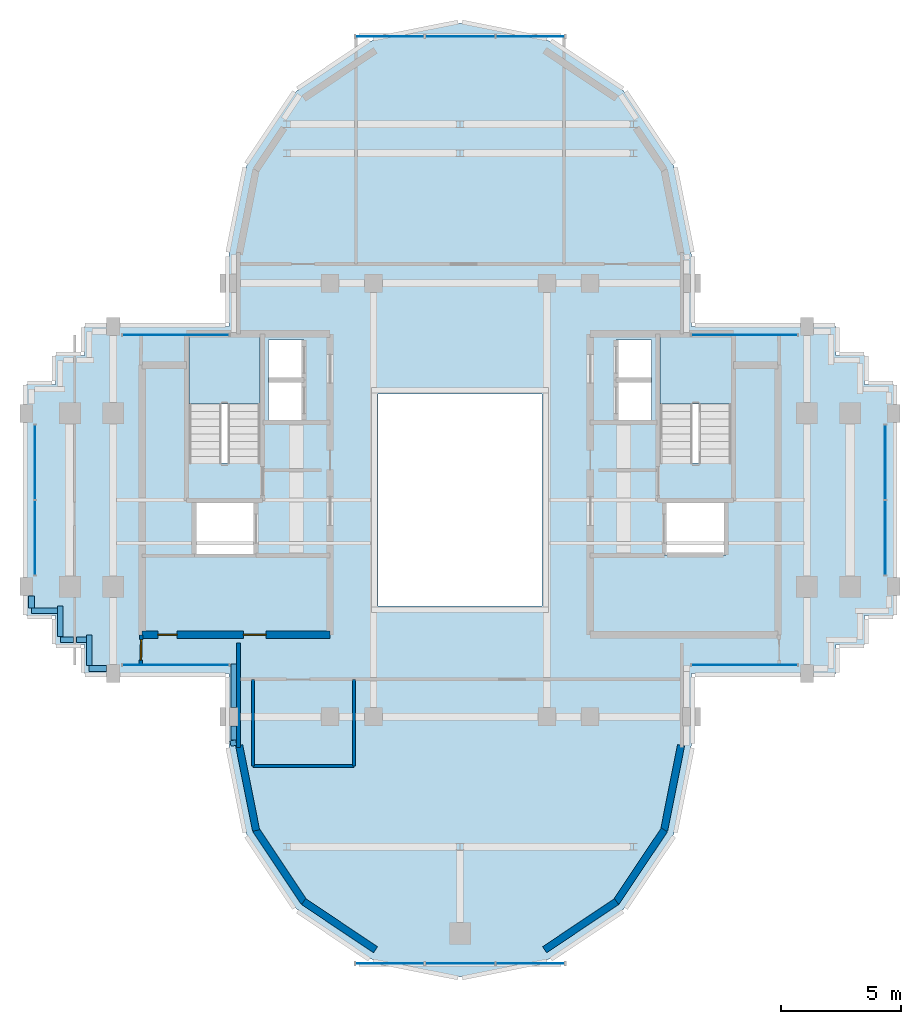
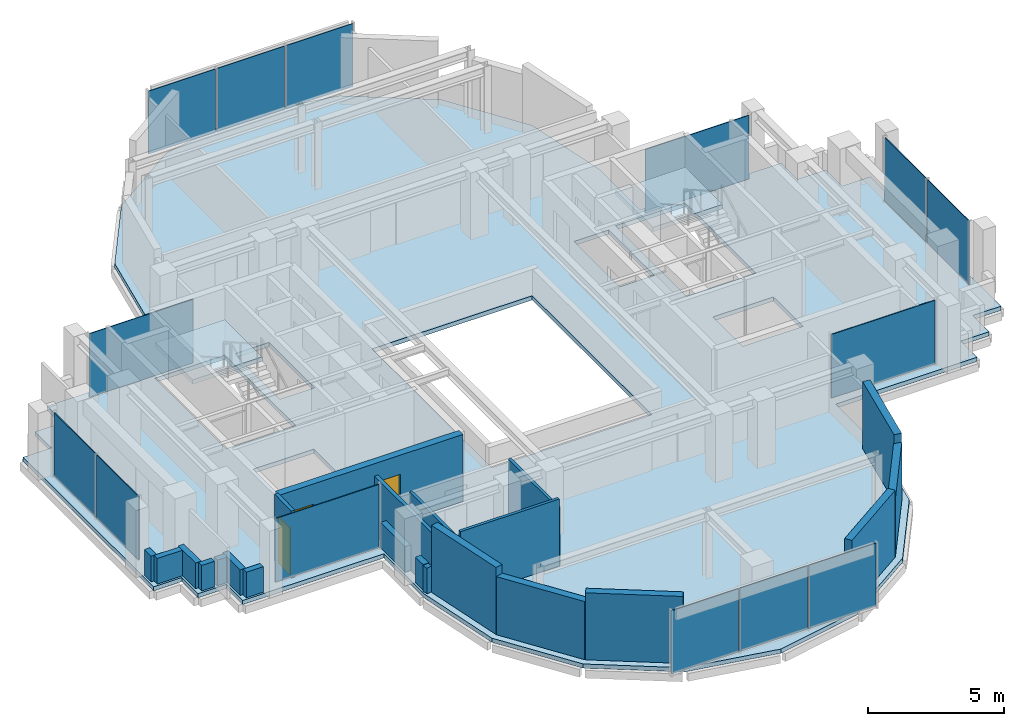
# One storey, part 7 of 12: 22 walls, 14 plates, 3 doors, 3 slabs, 3 openings, 10 elements without a shape of their own.
"""IFC4 building model written with IfcOpenShell, lengths in metres."""

import ifcopenshell
import ifcopenshell.guid

model = None  # the IFC model being written
_history = None  # IfcOwnerHistory: only IFC2X3 demands one
_inside = {}  # id of a spatial element -> (the spatial element, [elements in it])
_under = {}  # id of a project, library or spatial element -> (it, [spatial elements below it])
_declared = {}  # id of a project -> (the project, [libraries it declares])
_typed = {}  # id of a type object -> (the type object, [elements of that type])
_made_of = {}  # id of a material, layer set ... -> (it, [elements and type objects made of it])


def new_model(schema):
    """Start an empty IFC model of exactly this schema.

    Asked for "IFC4X3", IfcOpenShell would pick the latest addendum, in which some entities
    have other attributes; the version numbers below select the first issue.
    IFC2X3 requires an IfcOwnerHistory on every rooted entity: one is made here for all.
    """
    global model, _history
    if schema == "IFC4X3":
        model = ifcopenshell.file(schema_version=(4, 3, 0, 0))
    else:
        model = ifcopenshell.file(schema=schema)
    _inside.clear()
    _under.clear()
    _declared.clear()
    _typed.clear()
    _made_of.clear()
    _history = None
    if model.schema == "IFC2X3":
        org = make("IfcOrganization", Name="unknown")
        user = make(
            "IfcPersonAndOrganization",
            ThePerson=make("IfcPerson", FamilyName="unknown"),
            TheOrganization=org,
        )
        app = make(
            "IfcApplication",
            ApplicationDeveloper=org,
            Version="unknown",
            ApplicationFullName="unknown",
            ApplicationIdentifier="unknown",
        )
        _history = make(
            "IfcOwnerHistory",
            OwningUser=user,
            OwningApplication=app,
            ChangeAction="ADDED",
            CreationDate=0,
        )
    return model


def make(cls, **values):
    """One entity of the class cls with the attributes given. An attribute that is None is left unset."""
    return model.create_entity(
        cls, **{name: value for name, value in values.items() if value is not None}
    )


def rooted(cls, **values):
    """An entity with a GlobalId (a new one), such as an element, a storey or a relation."""
    return make(cls, GlobalId=ifcopenshell.guid.new(), OwnerHistory=_history, **values)


def si_unit(unit_type, name, prefix=None):
    """IfcSIUnit, for example si_unit("LENGTHUNIT", "METRE", prefix="MILLI")."""
    return make("IfcSIUnit", UnitType=unit_type, Prefix=prefix, Name=name)


def assignment(units):
    """IfcUnitAssignment: the units of a project."""
    return None if units is None else make("IfcUnitAssignment", Units=units)


def point(xyz):
    """IfcCartesianPoint."""
    return None if xyz is None else make("IfcCartesianPoint", Coordinates=xyz)


def direction(xyz):
    """IfcDirection."""
    return None if xyz is None else make("IfcDirection", DirectionRatios=xyz)


def frame(location, z_axis=None, x_axis=None):
    """IfcAxis2Placement3D, a coordinate frame: its origin and axes. An axis left out is left unset."""
    return make(
        "IfcAxis2Placement3D",
        Location=point(location),
        Axis=direction(z_axis),
        RefDirection=direction(x_axis),
    )


def frame_2d(location, x_axis=None):
    """IfcAxis2Placement2D, a coordinate frame in the plane: its origin and x axis."""
    return make(
        "IfcAxis2Placement2D", Location=point(location), RefDirection=direction(x_axis)
    )


def origin():
    """The frame at (0, 0, 0) with its axes left unset."""
    return frame((0.0, 0.0, 0.0))


def origin_2d():
    """The frame at (0, 0) in the plane with its x axis left unset."""
    return frame_2d((0.0, 0.0))


def place(relative_to, where):
    """IfcLocalPlacement: puts the frame where relative to a parent placement (None: the world)."""
    return make(
        "IfcLocalPlacement", PlacementRelTo=relative_to, RelativePlacement=where
    )


def context(
    kind, dimensions, precision=None, world=None, true_north=None, identifier=None
):
    """IfcGeometricRepresentationContext, for example the 3D "Model" context."""
    return make(
        "IfcGeometricRepresentationContext",
        ContextIdentifier=identifier,
        ContextType=kind,
        CoordinateSpaceDimension=dimensions,
        Precision=precision,
        WorldCoordinateSystem=world,
        TrueNorth=true_north,
    )


def subcontext(parent, identifier, kind, view, scale=None):
    """IfcGeometricRepresentationSubContext, for example "Body" below "Model"."""
    return make(
        "IfcGeometricRepresentationSubContext",
        ContextIdentifier=identifier,
        ContextType=kind,
        ParentContext=parent,
        TargetScale=scale,
        TargetView=view,
    )


def project(units=None, contexts=None):
    """IfcProject with its units and contexts."""
    return rooted(
        "IfcProject",
        Name="project",
        RepresentationContexts=contexts,
        UnitsInContext=assignment(units),
    )


def spatial(cls, under=None, at=None, **own):
    """A site, building, storey or space (cls), placed at a placement, below another one or the project."""
    s = rooted(cls, ObjectPlacement=at, **own)
    if under is not None:
        _under.setdefault(under.id(), (under, []))[1].append(s)
    return s


def polyline(points):
    """IfcPolyline through the points."""
    return make("IfcPolyline", Points=[point(p) for p in points])


def profile(cls, at=None, kind="AREA", **sizes):
    """A parametric profile (cls). Its sizes go by their IFC names, for example OverallWidth=200.0."""
    return make(cls, ProfileType=kind, Position=at, **sizes)


def rectangle(**sizes):
    """IfcRectangleProfileDef."""
    return profile("IfcRectangleProfileDef", **sizes)


def outline(outer, holes=None, kind="AREA"):
    """IfcArbitraryClosedProfileDef: a profile drawn as a closed curve; with holes, ...WithVoids."""
    if holes is None:
        return make("IfcArbitraryClosedProfileDef", ProfileType=kind, OuterCurve=outer)
    return make(
        "IfcArbitraryProfileDefWithVoids",
        ProfileType=kind,
        OuterCurve=outer,
        InnerCurves=holes,
    )


def extrude(swept, where, along, depth):
    """IfcExtrudedAreaSolid: the profile swept, set in the frame where, extruded along a direction by depth."""
    return make(
        "IfcExtrudedAreaSolid",
        SweptArea=swept,
        Position=where,
        ExtrudedDirection=direction(along),
        Depth=depth,
    )


def shape(context_of_items, identifier, shape_type, items):
    """IfcShapeRepresentation: the items that make up one representation, for example the "Body"."""
    return make(
        "IfcShapeRepresentation",
        ContextOfItems=context_of_items,
        RepresentationIdentifier=identifier,
        RepresentationType=shape_type,
        Items=items,
    )


def source(mapping_origin, context_of_items, identifier, shape_type, items):
    """IfcRepresentationMap: a shape defined once, which mapped items show again and again."""
    return make(
        "IfcRepresentationMap",
        MappingOrigin=mapping_origin,
        MappedRepresentation=shape(context_of_items, identifier, shape_type, items),
    )


def transform(
    local_origin,
    x_axis=None,
    y_axis=None,
    z_axis=None,
    scale=None,
    scale2=None,
    scale3=None,
    uniform=True,
):
    """IfcCartesianTransformationOperator3D, or its non-uniform kind. x_axis, y_axis, z_axis: its Axis1, 2, 3."""
    if uniform:
        return make(
            "IfcCartesianTransformationOperator3D",
            Axis1=direction(x_axis),
            Axis2=direction(y_axis),
            LocalOrigin=point(local_origin),
            Scale=scale,
            Axis3=direction(z_axis),
        )
    return make(
        "IfcCartesianTransformationOperator3DnonUniform",
        Axis1=direction(x_axis),
        Axis2=direction(y_axis),
        LocalOrigin=point(local_origin),
        Scale=scale,
        Axis3=direction(z_axis),
        Scale2=scale2,
        Scale3=scale3,
    )


def mapped(mapping_source, mapping_target):
    """IfcMappedItem: shows the shape of a source again, moved by a transform."""
    return make(
        "IfcMappedItem", MappingSource=mapping_source, MappingTarget=mapping_target
    )


def material(Name=None, Category=None):
    """IfcMaterial."""
    return make("IfcMaterial", Name=Name, Category=Category)


def layer(
    of_material, thickness, ventilated=None, Name=None, Category=None, Priority=None
):
    """IfcMaterialLayer: one layer of a wall or slab, of a material (None: an air gap)."""
    return make(
        "IfcMaterialLayer",
        Material=of_material,
        LayerThickness=thickness,
        IsVentilated=ventilated,
        Name=Name,
        Category=Category,
        Priority=Priority,
    )


def layer_set(layers, Name=None):
    """IfcMaterialLayerSet."""
    return make("IfcMaterialLayerSet", MaterialLayers=layers, LayerSetName=Name)


def made_of(thing, what):
    """Note that an element or type object is made of a material, layer set ...; save() writes the relation."""
    if what is not None:
        _made_of.setdefault(what.id(), (what, []))[1].append(thing)
    return thing


def type_object(cls, material=None, **own):
    """A type object (cls), such as IfcWallType, which elements share."""
    return made_of(rooted(cls, **own), material)


def element(
    cls,
    number,
    at=None,
    inside=None,
    cuts=None,
    type_object=None,
    material=None,
    context=None,
    identifier="Body",
    shape_type=None,
    held_by="IfcProductDefinitionShape",
    body=None,
    shapes=None,
    **own,
):
    """One element of the class cls, such as IfcWall. Its Tag is "e" and its number.

    at: its placement. inside: the storey or other place that contains it. cuts: it is an
    opening in that element (IfcRelVoidsElement). A single representation is given by context,
    identifier, shape_type and body (its items); several are given by shapes. held_by: the class
    of the entity that holds the representations. save() writes the other relations.
    """
    e = rooted(cls, Tag="e%d" % number, ObjectPlacement=at, **own)
    if body is not None:
        shapes = [shape(context, identifier, shape_type, body)]
    if shapes is not None:
        e.Representation = make(held_by, Representations=shapes)
    if inside is not None:
        _inside.setdefault(inside.id(), (inside, []))[1].append(e)
    if cuts is not None:
        rooted(
            "IfcRelVoidsElement", RelatingBuildingElement=cuts, RelatedOpeningElement=e
        )
    if type_object is not None:
        _typed.setdefault(type_object.id(), (type_object, []))[1].append(e)
    return made_of(e, material)


def fill(opening, filler):
    """IfcRelFillsElement: the door or window that sits in an opening."""
    return rooted(
        "IfcRelFillsElement",
        RelatingOpeningElement=opening,
        RelatedBuildingElement=filler,
    )


def aggregate(whole, parts):
    """IfcRelAggregates: a whole, such as a stair, and the parts it consists of."""
    return rooted("IfcRelAggregates", RelatingObject=whole, RelatedObjects=parts)


def save(model, path):
    """Write the relations noted so far, then the file.

    IfcRelAggregates (storeys below a building ...), IfcRelContainedInSpatialStructure (elements
    in a storey), IfcRelDefinesByType, IfcRelAssociatesMaterial and IfcRelDeclares: one each for
    every whole, place, type object, material and project.
    """
    for whole, parts in _under.values():
        aggregate(whole, parts)
    for where, things in _inside.values():
        rooted(
            "IfcRelContainedInSpatialStructure",
            RelatedElements=things,
            RelatingStructure=where,
        )
    for kind, things in _typed.values():
        rooted("IfcRelDefinesByType", RelatedObjects=things, RelatingType=kind)
    for what, things in _made_of.values():
        rooted("IfcRelAssociatesMaterial", RelatedObjects=things, RelatingMaterial=what)
    for by, libraries in _declared.values():
        rooted("IfcRelDeclares", RelatingContext=by, RelatedDefinitions=libraries)
    model.write(path)


model = new_model("IFC4")

# Units and contexts
model_context = context("Model", 3, precision=1e-05, world=origin(), true_north=direction((0.0, 1.0)))
body_context = subcontext(model_context, "Body", "Model", "MODEL_VIEW")
ifc_project = project(units=[si_unit("LENGTHUNIT", "METRE"), si_unit("AREAUNIT", "SQUARE_METRE"), si_unit("VOLUMEUNIT", "CUBIC_METRE"), si_unit("PLANEANGLEUNIT", "RADIAN"), si_unit("MASSUNIT", "GRAM", prefix="KILO")], contexts=[model_context])

# Site, building, storey
site_placement = place(None, origin())
site = spatial("IfcSite", under=ifc_project, at=site_placement, CompositionType="ELEMENT")
building_placement = place(site_placement, origin())
building = spatial("IfcBuilding", under=site, at=building_placement, Name="Keilestroom Media Tower", CompositionType="ELEMENT")
storey_placement = place(building_placement, frame((0.0, 0.0, 249.199951171875)))
storey = spatial("IfcBuildingStorey", under=building, at=storey_placement, Name="L69", CompositionType="ELEMENT", Elevation=249.199951171875)

# Slab
ifc_material_1 = material(Name="Concrete C50/60", Category="concrete")
ifc_layer_1 = layer(ifc_material_1, 0.18994140625)
ifc_layer_set_1 = layer_set([ifc_layer_1], Name="Concrete C50/60")
slab_type_1 = type_object("IfcSlabType", Name="Composite-Floor-Slab-190", PredefinedType="FLOOR", material=ifc_layer_set_1)
slab_1_placement = place(storey_placement, frame((0.0, 0.0, -0.18994140625)))
element("IfcSlab", 1, at=slab_1_placement, inside=storey, type_object=slab_type_1, Name="L69 Structural Composite Floor Slab", PredefinedType="FLOOR", context=body_context, shape_type="SweptSolid", body=[
    extrude(outline(polyline([(18.0, -4.800048828125), (18.0, 4.800048828125), (16.800048828125, 4.800048828125), (16.800048828125, 6.0), (15.60009765625, 6.0), (15.60009765625, 7.199951171875), (9.60009765625, 7.199951171875), (9.60009765625, 9.60009765625), (9.60009765625, 10.199951171875), (8.869140625, 13.873779296875), (6.7880859375, 16.98828125), (3.673828125, 19.069091796875), (0.0, 19.800048828125), (-3.673828125, 19.069091796875), (-6.7880859375, 16.98828125), (-8.869140625, 13.873779296875), (-9.60009765625, 10.199951171875), (-9.60009765625, 9.60009765625), (-9.60009765625, 7.199951171875), (-15.60009765625, 7.199951171875), (-15.60009765625, 6.0), (-16.800048828125, 6.0), (-16.800048828125, 4.800048828125), (-18.0, 4.800048828125), (-18.0, -4.800048828125), (-16.800048828125, -4.800048828125), (-16.800048828125, -6.0), (-15.60009765625, -6.0), (-15.60009765625, -7.199951171875), (-9.60009765625, -7.199951171875), (-9.60009765625, -9.60009765625), (-9.60009765625, -10.199951171875), (-8.869140625, -13.873779296875), (-6.7880859375, -16.98828125), (-3.673828125, -19.069091796875), (0.0, -19.800048828125), (3.673828125, -19.069091796875), (6.7880859375, -16.98828125), (8.869140625, -13.873779296875), (9.60009765625, -10.199951171875), (9.60009765625, -9.60009765625), (9.60009765625, -7.199951171875), (15.60009765625, -7.199951171875), (15.60009765625, -6.0), (16.800048828125, -6.0), (16.800048828125, -4.800048828125), (18.0, -4.800048828125)]), holes=[polyline([(-8.300048828125, 1.544921875), (-11.260009765625, 1.544921875), (-11.260009765625, 6.760009765625), (-8.300048828125, 6.760009765625), (-8.300048828125, 1.544921875)]), polyline([(-8.47998046875, -2.280029296875), (-11.050048828125, -2.280029296875), (-11.050048828125, -0.10009765625), (-8.47998046875, -0.10009765625), (-8.47998046875, -2.280029296875)]), polyline([(-6.47998046875, 3.300048828125), (-7.949951171875, 3.300048828125), (-7.949951171875, 6.64990234375), (-6.47998046875, 6.64990234375), (-6.47998046875, 3.300048828125)]), polyline([(3.39990234375, -4.39990234375), (-3.39990234375, -4.39990234375), (-3.39990234375, 4.39990234375), (3.39990234375, 4.39990234375), (3.39990234375, -4.39990234375)]), polyline([(7.949951171875, 3.300048828125), (6.47998046875, 3.300048828125), (6.47998046875, 6.64990234375), (7.949951171875, 6.64990234375), (7.949951171875, 3.300048828125)]), polyline([(11.260009765625, 1.544921875), (8.300048828125, 1.544921875), (8.300048828125, 6.760009765625), (11.260009765625, 6.760009765625), (11.260009765625, 1.544921875)]), polyline([(11.050048828125, -2.280029296875), (8.47998046875, -2.280029296875), (8.47998046875, -0.10009765625), (11.050048828125, -0.10009765625), (11.050048828125, -2.280029296875)])]), origin(), (0.0, 0.0, 1.0), 0.18994140625),
])

# Stair, slab
ifc_material_2 = material(Name="Concrete C45/55", Category="concrete")
stair_type = type_object("IfcStairType", Name="Enclosed-Dog-Leg-Stair-ST-CORE", PredefinedType="HALF_TURN_STAIR", material=ifc_material_2)
stair_1_placement = place(storey_placement, origin())
stair_1 = element("IfcStair", 2, at=stair_1_placement, inside=storey, type_object=stair_type, Name="L69 West Core Escape Stair ST-1", PredefinedType="HALF_TURN_STAIR")
ifc_layer_2 = layer(ifc_material_2, 0.199951171875)
ifc_layer_set_2 = layer_set([ifc_layer_2], Name="Concrete C45/55")
slab_type_2 = type_object("IfcSlabType", Name="Stair-Intermediate-And-Top-Landing-Slab-200", PredefinedType="LANDING", material=ifc_layer_set_2)
slab_2_placement = place(storey_placement, frame((0.0, 0.0, 1.400146484375)))
slab_2 = element("IfcSlab", 3, at=slab_2_placement, type_object=slab_type_2, Name="ST-1 landing 1", PredefinedType="LANDING", context=body_context, shape_type="SweptSolid", body=[
    extrude(outline(polyline([(-8.300048828125, 3.99609375), (-8.300048828125, 6.760009765625), (-11.260009765625, 6.760009765625), (-11.260009765625, 3.99609375), (-8.300048828125, 3.99609375)])), origin(), (0.0, 0.0, 1.0), 0.199951171875),
])
aggregate(stair_1, [slab_2])

stair_2_placement = place(storey_placement, origin())
stair_2 = element("IfcStair", 4, at=stair_2_placement, inside=storey, type_object=stair_type, Name="L69 East Core Escape Stair ST-2", PredefinedType="HALF_TURN_STAIR")
slab_3_placement = place(storey_placement, frame((0.0, 0.0, 1.400146484375)))
slab_3 = element("IfcSlab", 5, at=slab_3_placement, type_object=slab_type_2, Name="ST-2 landing 1", PredefinedType="LANDING", context=body_context, shape_type="SweptSolid", body=[
    extrude(outline(polyline([(11.260009765625, 3.99609375), (11.260009765625, 6.760009765625), (8.300048828125, 6.760009765625), (8.300048828125, 3.99609375), (11.260009765625, 3.99609375)])), origin(), (0.0, 0.0, 1.0), 0.199951171875),
])
aggregate(stair_2, [slab_3])

# Curtain wall, plates
ifc_material_3 = material(Name="Anodised Aluminium Alloy", Category="aluminium")
curtain_wall_type_1 = type_object("IfcCurtainWallType", Name="Unitised-Curtain-Wall-CW-6", PredefinedType="NOTDEFINED", material=ifc_material_3)
curtain_wall_1_placement = place(storey_placement, origin())
curtain_wall_1 = element("IfcCurtainWall", 6, at=curtain_wall_1_placement, inside=storey, type_object=curtain_wall_type_1, Name="L69 Curtain Wall CW-6 CW-L69-LN-1", PredefinedType="NOTDEFINED")
ifc_material_4 = material(Name="Curved-Facet Triple Glazed Unit", Category="glass")
ifc_layer_3 = layer(ifc_material_4, 0.033935546875)
ifc_layer_set_3 = layer_set([ifc_layer_3], Name="Curved-Facet Triple Glazed Unit")
plate_type_1 = type_object("IfcPlateType", Name="Insulated-Curtain-Wall-Glazing-Panel-CW-6", PredefinedType="CURTAIN_PANEL", material=ifc_layer_set_3)
shared_shape_1 = source(origin(), body_context, "Body", "SweptSolid", [
    extrude(rectangle(XDim=2.84375, YDim=0.033935546875, at=origin_2d()), origin(), (0.0, 0.0, 1.0), 2.833984375),
])
plate_1_placement = place(storey_placement, frame((-2.9169921875, 19.25, 0.072998046875), z_axis=(0.0, 0.0, 1.0), x_axis=(1.0, 0.0, 0.0)))
plate_1 = element("IfcPlate", 7, at=plate_1_placement, type_object=plate_type_1, Name="CW-6 Unitised Glazing 00", PredefinedType="CURTAIN_PANEL", context=body_context, shape_type="MappedRepresentation", body=[
    mapped(shared_shape_1, transform((0.0, 0.0, 0.0), x_axis=(1.0, 0.0, 0.0), y_axis=(0.0, 1.0, 0.0), z_axis=(0.0, 0.0, 1.0), scale=1.0)),
])
plate_2_placement = place(storey_placement, frame((2.9169921875, 19.25, 0.072998046875), z_axis=(0.0, 0.0, 1.0), x_axis=(1.0, 0.0, 0.0)))
plate_2 = element("IfcPlate", 8, at=plate_2_placement, type_object=plate_type_1, Name="CW-6 Unitised Glazing 02", PredefinedType="CURTAIN_PANEL", context=body_context, shape_type="MappedRepresentation", body=[
    mapped(shared_shape_1, transform((0.0, 0.0, 0.0), x_axis=(1.0, 0.0, 0.0), y_axis=(0.0, 1.0, 0.0), z_axis=(0.0, 0.0, 1.0), scale=1.0)),
])

curtain_wall_2_placement = place(storey_placement, origin())
curtain_wall_2 = element("IfcCurtainWall", 9, at=curtain_wall_2_placement, inside=storey, type_object=curtain_wall_type_1, Name="L69 Curtain Wall CW-6 CW-L69-LS-1", PredefinedType="NOTDEFINED")
plate_3_placement = place(storey_placement, frame((-2.9169921875, -19.25, 0.072998046875), z_axis=(0.0, 0.0, 1.0), x_axis=(1.0, 0.0, 0.0)))
plate_3 = element("IfcPlate", 10, at=plate_3_placement, type_object=plate_type_1, Name="CW-6 Unitised Glazing 00", PredefinedType="CURTAIN_PANEL", context=body_context, shape_type="MappedRepresentation", body=[
    mapped(shared_shape_1, transform((0.0, 0.0, 0.0), x_axis=(1.0, 0.0, 0.0), y_axis=(0.0, 1.0, 0.0), z_axis=(0.0, 0.0, 1.0), scale=1.0)),
])
plate_4_placement = place(storey_placement, frame((2.9169921875, -19.25, 0.072998046875), z_axis=(0.0, 0.0, 1.0), x_axis=(1.0, 0.0, 0.0)))
plate_4 = element("IfcPlate", 11, at=plate_4_placement, type_object=plate_type_1, Name="CW-6 Unitised Glazing 02", PredefinedType="CURTAIN_PANEL", context=body_context, shape_type="MappedRepresentation", body=[
    mapped(shared_shape_1, transform((0.0, 0.0, 0.0), x_axis=(1.0, 0.0, 0.0), y_axis=(0.0, 1.0, 0.0), z_axis=(0.0, 0.0, 1.0), scale=1.0)),
])

# Plate
shared_shape_2 = source(origin(), body_context, "Body", "SweptSolid", [
    extrude(rectangle(XDim=2.876220703125, YDim=0.033935546875, at=origin_2d()), origin(), (0.0, 0.0, 1.0), 2.833984375),
])
plate_5_placement = place(storey_placement, frame((0.0, 19.25, 0.072998046875), z_axis=(0.0, 0.0, 1.0), x_axis=(1.0, 0.0, 0.0)))
plate_5 = element("IfcPlate", 12, at=plate_5_placement, type_object=plate_type_1, Name="CW-6 Unitised Glazing 01", PredefinedType="CURTAIN_PANEL", context=body_context, shape_type="MappedRepresentation", body=[
    mapped(shared_shape_2, transform((0.0, 0.0, 0.0), x_axis=(1.0, 0.0, 0.0), y_axis=(0.0, 1.0, 0.0), z_axis=(0.0, 0.0, 1.0), scale=1.0)),
])

aggregate(curtain_wall_1, [plate_1, plate_5, plate_2])

plate_6_placement = place(storey_placement, frame((0.0, -19.25, 0.072998046875), z_axis=(0.0, 0.0, 1.0), x_axis=(1.0, 0.0, 0.0)))
plate_6 = element("IfcPlate", 13, at=plate_6_placement, type_object=plate_type_1, Name="CW-6 Unitised Glazing 01", PredefinedType="CURTAIN_PANEL", context=body_context, shape_type="MappedRepresentation", body=[
    mapped(shared_shape_2, transform((0.0, 0.0, 0.0), x_axis=(1.0, 0.0, 0.0), y_axis=(0.0, 1.0, 0.0), z_axis=(0.0, 0.0, 1.0), scale=1.0)),
])

aggregate(curtain_wall_2, [plate_3, plate_6, plate_4])

# Curtain wall, plates
curtain_wall_type_2 = type_object("IfcCurtainWallType", Name="Unitised-Curtain-Wall-CW-4", PredefinedType="NOTDEFINED", material=ifc_material_3)
curtain_wall_3_placement = place(storey_placement, origin())
curtain_wall_3 = element("IfcCurtainWall", 14, at=curtain_wall_3_placement, inside=storey, type_object=curtain_wall_type_2, Name="L69 Curtain Wall CW-4 CW-L69-W-1", PredefinedType="NOTDEFINED")
ifc_material_5 = material(Name="Triple Glazed Solar-Control Unit", Category="glass")
ifc_layer_4 = layer(ifc_material_5, 0.035888671875)
ifc_layer_set_4 = layer_set([ifc_layer_4], Name="Triple Glazed Solar-Control Unit")
plate_type_2 = type_object("IfcPlateType", Name="Insulated-Curtain-Wall-Glazing-Panel-CW-4", PredefinedType="CURTAIN_PANEL", material=ifc_layer_set_4)
shared_shape_3 = source(origin(), body_context, "Body", "SweptSolid", [
    extrude(rectangle(XDim=3.0830078125, YDim=0.035888671875, at=origin_2d()), origin(), (0.0, 0.0, 1.0), 2.85400390625),
])
plate_7_placement = place(storey_placement, frame((-17.64990234375, -1.5673828125, 0.06298828125), z_axis=(0.0, 0.0, 1.0), x_axis=(0.0, 1.0, 0.0)))
plate_7 = element("IfcPlate", 15, at=plate_7_placement, type_object=plate_type_2, Name="CW-4 Unitised Glazing 00", PredefinedType="CURTAIN_PANEL", context=body_context, shape_type="MappedRepresentation", body=[
    mapped(shared_shape_3, transform((0.0, 0.0, 0.0), x_axis=(1.0, 0.0, 0.0), y_axis=(0.0, 1.0, 0.0), z_axis=(0.0, 0.0, 1.0), scale=1.0)),
])
plate_8_placement = place(storey_placement, frame((-17.64990234375, 1.5673828125, 0.06298828125), z_axis=(0.0, 0.0, 1.0), x_axis=(0.0, 1.0, 0.0)))
plate_8 = element("IfcPlate", 16, at=plate_8_placement, type_object=plate_type_2, Name="CW-4 Unitised Glazing 01", PredefinedType="CURTAIN_PANEL", context=body_context, shape_type="MappedRepresentation", body=[
    mapped(shared_shape_3, transform((0.0, 0.0, 0.0), x_axis=(1.0, 0.0, 0.0), y_axis=(0.0, 1.0, 0.0), z_axis=(0.0, 0.0, 1.0), scale=1.0)),
])
aggregate(curtain_wall_3, [plate_7, plate_8])

curtain_wall_4_placement = place(storey_placement, origin())
curtain_wall_4 = element("IfcCurtainWall", 17, at=curtain_wall_4_placement, inside=storey, type_object=curtain_wall_type_2, Name="L69 Curtain Wall CW-4 CW-L69-E-1", PredefinedType="NOTDEFINED")
plate_9_placement = place(storey_placement, frame((17.64990234375, -1.5673828125, 0.06298828125), z_axis=(0.0, 0.0, 1.0), x_axis=(0.0, 1.0, 0.0)))
plate_9 = element("IfcPlate", 18, at=plate_9_placement, type_object=plate_type_2, Name="CW-4 Unitised Glazing 00", PredefinedType="CURTAIN_PANEL", context=body_context, shape_type="MappedRepresentation", body=[
    mapped(shared_shape_3, transform((0.0, 0.0, 0.0), x_axis=(1.0, 0.0, 0.0), y_axis=(0.0, 1.0, 0.0), z_axis=(0.0, 0.0, 1.0), scale=1.0)),
])
plate_10_placement = place(storey_placement, frame((17.64990234375, 1.5673828125, 0.06298828125), z_axis=(0.0, 0.0, 1.0), x_axis=(0.0, 1.0, 0.0)))
plate_10 = element("IfcPlate", 19, at=plate_10_placement, type_object=plate_type_2, Name="CW-4 Unitised Glazing 01", PredefinedType="CURTAIN_PANEL", context=body_context, shape_type="MappedRepresentation", body=[
    mapped(shared_shape_3, transform((0.0, 0.0, 0.0), x_axis=(1.0, 0.0, 0.0), y_axis=(0.0, 1.0, 0.0), z_axis=(0.0, 0.0, 1.0), scale=1.0)),
])
aggregate(curtain_wall_4, [plate_9, plate_10])

# Curtain wall, plate
curtain_wall_5_placement = place(storey_placement, origin())
curtain_wall_5 = element("IfcCurtainWall", 20, at=curtain_wall_5_placement, inside=storey, type_object=curtain_wall_type_2, Name="L69 Curtain Wall CW-4 CW-L69-NW-1", PredefinedType="NOTDEFINED")
shared_shape_4 = source(origin(), body_context, "Body", "SweptSolid", [
    extrude(rectangle(XDim=4.403076171875, YDim=0.035888671875, at=origin_2d()), origin(), (0.0, 0.0, 1.0), 2.85400390625),
])
plate_11_placement = place(storey_placement, frame((-11.8076171875, 6.85009765625, 0.06298828125), z_axis=(0.0, 0.0, 1.0), x_axis=(1.0, 0.0, 0.0)))
plate_11 = element("IfcPlate", 21, at=plate_11_placement, type_object=plate_type_2, Name="CW-4 Unitised Glazing 00", PredefinedType="CURTAIN_PANEL", context=body_context, shape_type="MappedRepresentation", body=[
    mapped(shared_shape_4, transform((0.0, 0.0, 0.0), x_axis=(1.0, 0.0, 0.0), y_axis=(0.0, 1.0, 0.0), z_axis=(0.0, 0.0, 1.0), scale=1.0)),
])
aggregate(curtain_wall_5, [plate_11])

curtain_wall_6_placement = place(storey_placement, origin())
curtain_wall_6 = element("IfcCurtainWall", 22, at=curtain_wall_6_placement, inside=storey, type_object=curtain_wall_type_2, Name="L69 Curtain Wall CW-4 CW-L69-NE-1", PredefinedType="NOTDEFINED")
plate_12_placement = place(storey_placement, frame((11.8076171875, 6.85009765625, 0.06298828125), z_axis=(0.0, 0.0, 1.0), x_axis=(1.0, 0.0, 0.0)))
plate_12 = element("IfcPlate", 23, at=plate_12_placement, type_object=plate_type_2, Name="CW-4 Unitised Glazing 00", PredefinedType="CURTAIN_PANEL", context=body_context, shape_type="MappedRepresentation", body=[
    mapped(shared_shape_4, transform((0.0, 0.0, 0.0), x_axis=(1.0, 0.0, 0.0), y_axis=(0.0, 1.0, 0.0), z_axis=(0.0, 0.0, 1.0), scale=1.0)),
])
aggregate(curtain_wall_6, [plate_12])

curtain_wall_7_placement = place(storey_placement, origin())
curtain_wall_7 = element("IfcCurtainWall", 24, at=curtain_wall_7_placement, inside=storey, type_object=curtain_wall_type_2, Name="L69 Curtain Wall CW-4 CW-L69-SW-1", PredefinedType="NOTDEFINED")
plate_13_placement = place(storey_placement, frame((-11.8076171875, -6.85009765625, 0.06298828125), z_axis=(0.0, 0.0, 1.0), x_axis=(1.0, 0.0, 0.0)))
plate_13 = element("IfcPlate", 25, at=plate_13_placement, type_object=plate_type_2, Name="CW-4 Unitised Glazing 00", PredefinedType="CURTAIN_PANEL", context=body_context, shape_type="MappedRepresentation", body=[
    mapped(shared_shape_4, transform((0.0, 0.0, 0.0), x_axis=(1.0, 0.0, 0.0), y_axis=(0.0, 1.0, 0.0), z_axis=(0.0, 0.0, 1.0), scale=1.0)),
])
aggregate(curtain_wall_7, [plate_13])

curtain_wall_8_placement = place(storey_placement, origin())
curtain_wall_8 = element("IfcCurtainWall", 26, at=curtain_wall_8_placement, inside=storey, type_object=curtain_wall_type_2, Name="L69 Curtain Wall CW-4 CW-L69-SE-1", PredefinedType="NOTDEFINED")
plate_14_placement = place(storey_placement, frame((11.8076171875, -6.85009765625, 0.06298828125), z_axis=(0.0, 0.0, 1.0), x_axis=(1.0, 0.0, 0.0)))
plate_14 = element("IfcPlate", 27, at=plate_14_placement, type_object=plate_type_2, Name="CW-4 Unitised Glazing 00", PredefinedType="CURTAIN_PANEL", context=body_context, shape_type="MappedRepresentation", body=[
    mapped(shared_shape_4, transform((0.0, 0.0, 0.0), x_axis=(1.0, 0.0, 0.0), y_axis=(0.0, 1.0, 0.0), z_axis=(0.0, 0.0, 1.0), scale=1.0)),
])
aggregate(curtain_wall_8, [plate_14])

# Walls
ifc_material_6 = material(Name="Precast concrete C40/50", Category="concrete")
ifc_layer_5 = layer(ifc_material_6, 0.300048828125)
ifc_layer_set_5 = layer_set([ifc_layer_5], Name="Precast concrete C40/50")
wall_type_1 = type_object("IfcWallType", Name="Exterior-Masonry-Spandrel-Wall-300", PredefinedType="SOLIDWALL", material=ifc_layer_set_5)
wall_1_placement = place(storey_placement, frame((-9.1748046875, -10.185302734375, 0.0), z_axis=(0.0, 0.0, 1.0), x_axis=(0.195114232679, -0.980780523974, 0.0)))
element("IfcWall", 28, at=wall_1_placement, inside=storey, type_object=wall_type_1, Name="L69 Lobe Facet Precast Frame Wall 07", PredefinedType="SOLIDWALL", context=body_context, shape_type="SweptSolid", body=[
    extrude(rectangle(XDim=3.608642578125, YDim=0.300048828125, at=frame_2d((1.80419921875, 0.0))), origin(), (0.0, 0.0, 1.0), 3.010009765625),
])
wall_2_placement = place(storey_placement, frame((-8.48193359375, -13.697509765625, 0.0), z_axis=(0.0, 0.0, 1.0), x_axis=(0.555574187116, -0.831466970246, 0.0)))
element("IfcWall", 29, at=wall_2_placement, inside=storey, type_object=wall_type_1, Name="L69 Lobe Facet Precast Frame Wall 08", PredefinedType="SOLIDWALL", context=body_context, shape_type="SweptSolid", body=[
    extrude(rectangle(XDim=3.608642578125, YDim=0.300048828125, at=frame_2d((1.80419921875, 0.0))), origin(), (0.0, 0.0, 1.0), 2.610107421875),
])
for number, where, z_axis, x_axis, name in (
    (30, (-6.497802734375, -16.677001953125, 0.0), (0.0, 0.0, 1.0), (0.831443568068, -0.555609208993, 0.0), "L69 Lobe Facet Precast Frame Wall 09"),
    (31, (3.510009765625, -18.673583984375, 0.0), (0.0, 0.0, 1.0), (0.831443568068, 0.555609208993, 0.0), "L69 Lobe Facet Precast Frame Wall 10"),
):
    element("IfcWall", number, at=place(storey_placement, frame(where, z_axis=z_axis, x_axis=x_axis)), inside=storey, type_object=wall_type_1, Name=name, PredefinedType="SOLIDWALL", context=body_context, shape_type="SweptSolid", body=[
        extrude(rectangle(XDim=3.593505859375, YDim=0.300048828125, at=frame_2d((1.796875, 0.0))), origin(), (0.0, 0.0, 1.0), 3.010009765625),
    ])
wall_3_placement = place(storey_placement, frame((6.47705078125, -16.697998046875, 0.0), z_axis=(0.0, 0.0, 1.0), x_axis=(0.555574187116, 0.831466970246, 0.0)))
element("IfcWall", 32, at=wall_3_placement, inside=storey, type_object=wall_type_1, Name="L69 Lobe Facet Precast Frame Wall 11", PredefinedType="SOLIDWALL", context=body_context, shape_type="SweptSolid", body=[
    extrude(rectangle(XDim=3.608642578125, YDim=0.300048828125, at=frame_2d((1.80419921875, 0.0))), origin(), (0.0, 0.0, 1.0), 2.610107421875),
])
wall_4_placement = place(storey_placement, frame((8.470703125, -13.724609375, 0.0), z_axis=(0.0, 0.0, 1.0), x_axis=(0.195114232679, 0.980780523974, 0.0)))
element("IfcWall", 33, at=wall_4_placement, inside=storey, type_object=wall_type_1, Name="L69 Lobe Facet Precast Frame Wall 12", PredefinedType="SOLIDWALL", context=body_context, shape_type="SweptSolid", body=[
    extrude(rectangle(XDim=3.608642578125, YDim=0.300048828125, at=frame_2d((1.80419921875, 0.0))), origin(), (0.0, 0.0, 1.0), 3.010009765625),
])
ifc_material_7 = material(Name="Gypsum Plasterboard & Steel Stud", Category="steel")
ifc_layer_6 = layer(ifc_material_7, 0.1201171875)
ifc_layer_set_6 = layer_set([ifc_layer_6], Name="Gypsum Plasterboard & Steel Stud")
wall_type_2 = type_object("IfcWallType", Name="Interior-Partition-Wall-120", PredefinedType="PARTITIONING", material=ifc_layer_set_6)
wall_5_placement = place(storey_placement, frame((-8.60009765625, -11.050048828125, 0.0), z_axis=(0.0, 0.0, 1.0), x_axis=(1.0, 0.0, 0.0)))
element("IfcWall", 34, at=wall_5_placement, inside=storey, type_object=wall_type_2, Name="L69 Interior Wall WP-L69-SL-WC4-S", PredefinedType="PARTITIONING", context=body_context, shape_type="SweptSolid", body=[
    extrude(rectangle(XDim=4.2001953125, YDim=0.1201171875, at=frame_2d((2.10009765625, 0.0))), origin(), (0.0, 0.0, 1.0), 3.010009765625),
])
for number, where, z_axis, x_axis, name in (
    (35, (-8.60009765625, -11.050048828125, 0.0), (0.0, 0.0, 1.0), (0.0, 1.0, 0.0), "L69 Interior Wall WP-L69-SL-WC4-W"),
    (36, (-4.39990234375, -11.050048828125, 0.0), (0.0, 0.0, 1.0), (0.0, 1.0, 0.0), "L69 Interior Wall WP-L69-SL-WC4-E"),
):
    element("IfcWall", number, at=place(storey_placement, frame(where, z_axis=z_axis, x_axis=x_axis)), inside=storey, type_object=wall_type_2, Name=name, PredefinedType="PARTITIONING", context=body_context, shape_type="SweptSolid", body=[
        extrude(rectangle(XDim=3.60009765625, YDim=0.1201171875, at=frame_2d((1.800048828125, 0.0))), origin(), (0.0, 0.0, 1.0), 2.610107421875),
    ])
ifc_layer_7 = layer(ifc_material_7, 0.14990234375)
ifc_layer_set_7 = layer_set([ifc_layer_7], Name="Gypsum Plasterboard & Steel Stud")
wall_type_3 = type_object("IfcWallType", Name="Interior-Partition-Wall-150", PredefinedType="PARTITIONING", material=ifc_layer_set_7)
wall_6_placement = place(storey_placement, frame((-9.199951171875, -10.280029296875, 0.0), z_axis=(0.0, 0.0, 1.0), x_axis=(0.0, 1.0, 0.0)))
element("IfcWall", 37, at=wall_6_placement, inside=storey, type_object=wall_type_3, Name="L69 Interior Wall WP-L69-SL-CHKW", PredefinedType="PARTITIONING", context=body_context, shape_type="SweptSolid", body=[
    extrude(rectangle(XDim=4.340087890625, YDim=0.14990234375, at=frame_2d((2.169921875, 0.0))), origin(), (0.0, 0.0, 1.0), 2.610107421875),
])

# Wall, opening, door
wall_7_placement = place(storey_placement, frame((-13.260009765625, -6.85009765625, 0.0), z_axis=(0.0, 0.0, 1.0), x_axis=(0.016013571389, 0.999871774545, 0.0)))
wall_7 = element("IfcWall", 38, at=wall_7_placement, inside=storey, type_object=wall_type_3, Name="L69 Interior Wall WP-L69-WA-ENTS", PredefinedType="PARTITIONING", context=body_context, shape_type="SweptSolid", body=[
    extrude(rectangle(XDim=1.250244140625, YDim=0.14990234375, at=frame_2d((0.625, 0.0))), origin(), (0.0, 0.0, 1.0), 3.010009765625),
])
opening_1_placement = place(wall_7_placement, frame((0.199951171875, 0.0, 0.0)))
opening_1 = element("IfcOpeningElement", 39, at=opening_1_placement, cuts=wall_7, Name="Opening DI-05", PredefinedType="OPENING", context=body_context, shape_type="SweptSolid", body=[
    extrude(rectangle(XDim=0.85009765625, YDim=2.10009765625, at=frame_2d((0.425048828125, 1.050048828125))), frame((0.0, 0.0849609375, 0.0), z_axis=(0.0, -1.0, 0.0), x_axis=(1.0, 0.0, 0.0)), (0.0, 0.0, 1.0), 0.169921875),
])
ifc_material_8 = material(Name="Moisture-Resistant Oak Leaf", Category="wood")
door_type_1 = type_object("IfcDoorType", Name="Interior-En-Suite-And-Cupboard-Door-DI-05", OperationType="NOTDEFINED", PredefinedType="DOOR", material=ifc_material_8)
shared_shape_5 = source(origin(), body_context, "Body", "SweptSolid", [
    extrude(rectangle(XDim=0.85009765625, YDim=2.10009765625, at=frame_2d((0.425048828125, 1.050048828125))), frame((0.0, 0.02490234375, 0.0), z_axis=(0.0, -1.0, 0.0), x_axis=(1.0, 0.0, 0.0)), (0.0, 0.0, 1.0), 0.050048828125),
])
door_1_placement = place(opening_1_placement, origin())
door_1 = element("IfcDoor", 40, at=door_1_placement, inside=storey, type_object=door_type_1, Name="L69 Interior Door DI-L69-DWA-E", OperationType="SINGLE_SWING_RIGHT", OverallHeight=2.10009765625, OverallWidth=0.85009765625, PredefinedType="DOOR", context=body_context, shape_type="MappedRepresentation", body=[
    mapped(shared_shape_5, transform((0.0, 0.0, 0.0), x_axis=(1.0, 0.0, 0.0), y_axis=(0.0, 1.0, 0.0), z_axis=(0.0, 0.0, 1.0), scale=1.0)),
])
fill(opening_1, door_1)

# Wall, openings, doors
ifc_layer_8 = layer(ifc_material_1, 0.300048828125)
ifc_layer_set_8 = layer_set([ifc_layer_8], Name="Concrete C50/60")
wall_type_4 = type_object("IfcWallType", Name="Reinforced-Concrete-Core-Shear-Wall-300", PredefinedType="SHEAR", material=ifc_layer_set_8)
wall_8_placement = place(storey_placement, frame((-13.199951171875, -5.60009765625, 0.0), z_axis=(0.0, 0.0, 1.0), x_axis=(1.0, 0.0, 0.0)))
wall_8 = element("IfcWall", 41, at=wall_8_placement, inside=storey, type_object=wall_type_4, Name="L69 Core Shear Wall WL-L69-CORE-W-S", PredefinedType="SHEAR", context=body_context, shape_type="SweptSolid", body=[
    extrude(rectangle(XDim=7.800048828125, YDim=0.300048828125, at=frame_2d((3.89990234375, 0.0))), origin(), (0.0, 0.0, 1.0), 3.010009765625),
])
opening_2_placement = place(wall_8_placement, frame((0.64990234375, 0.0, 0.0)))
opening_2 = element("IfcOpeningElement", 42, at=opening_2_placement, cuts=wall_8, Name="Opening DI-06", PredefinedType="OPENING", context=body_context, shape_type="SweptSolid", body=[
    extrude(rectangle(XDim=0.800048828125, YDim=2.10009765625, at=frame_2d((0.39990234375, 1.050048828125))), frame((0.0, 0.16015625, 0.0), z_axis=(0.0, -1.0, 0.0), x_axis=(1.0, 0.0, 0.0)), (0.0, 0.0, 1.0), 0.320068359375),
])
opening_3_placement = place(wall_8_placement, frame((4.199951171875, 0.0, 0.0)))
opening_3 = element("IfcOpeningElement", 43, at=opening_3_placement, cuts=wall_8, Name="Opening DI-03", PredefinedType="OPENING", context=body_context, shape_type="SweptSolid", body=[
    extrude(rectangle(XDim=0.949951171875, YDim=2.14990234375, at=frame_2d((0.47509765625, 1.074951171875))), frame((0.0, 0.16015625, 0.0), z_axis=(0.0, -1.0, 0.0), x_axis=(1.0, 0.0, 0.0)), (0.0, 0.0, 1.0), 0.320068359375),
])
ifc_material_9 = material(Name="Powder-Coated Steel Service Leaf", Category="steel")
door_type_2 = type_object("IfcDoorType", Name="Interior-Riser-Access-Door-DI-06", OperationType="NOTDEFINED", PredefinedType="DOOR", material=ifc_material_9)
shared_shape_6 = source(origin(), body_context, "Body", "SweptSolid", [
    extrude(rectangle(XDim=0.800048828125, YDim=2.10009765625, at=frame_2d((0.39990234375, 1.050048828125))), frame((0.0, 0.02490234375, 0.0), z_axis=(0.0, -1.0, 0.0), x_axis=(1.0, 0.0, 0.0)), (0.0, 0.0, 1.0), 0.050048828125),
])
door_2_placement = place(opening_2_placement, origin())
door_2 = element("IfcDoor", 44, at=door_2_placement, inside=storey, type_object=door_type_2, Name="L69 Reclaimed West Core Room Door", OperationType="SINGLE_SWING_LEFT", OverallHeight=2.10009765625, OverallWidth=0.800048828125, PredefinedType="DOOR", context=body_context, shape_type="MappedRepresentation", body=[
    mapped(shared_shape_6, transform((0.0, 0.0, 0.0), x_axis=(1.0, 0.0, 0.0), y_axis=(0.0, 1.0, 0.0), z_axis=(0.0, 0.0, 1.0), scale=1.0)),
])
fill(opening_2, door_2)
ifc_material_10 = material(Name="Lacquered European Oak Leaf", Category="wood")
door_type_3 = type_object("IfcDoorType", Name="Interior-Room-And-Suite-Door-DI-03", OperationType="NOTDEFINED", PredefinedType="DOOR", material=ifc_material_10)
shared_shape_7 = source(origin(), body_context, "Body", "SweptSolid", [
    extrude(rectangle(XDim=0.949951171875, YDim=2.14990234375, at=frame_2d((0.47509765625, 1.074951171875))), frame((0.0, 0.02490234375, 0.0), z_axis=(0.0, -1.0, 0.0), x_axis=(1.0, 0.0, 0.0)), (0.0, 0.0, 1.0), 0.050048828125),
])
door_3_placement = place(opening_3_placement, origin())
door_3 = element("IfcDoor", 45, at=door_3_placement, inside=storey, type_object=door_type_3, Name="L69 Reclaimed Mid West Room Door", OperationType="SINGLE_SWING_LEFT", OverallHeight=2.14990234375, OverallWidth=0.949951171875, PredefinedType="DOOR", context=body_context, shape_type="MappedRepresentation", body=[
    mapped(shared_shape_7, transform((0.0, 0.0, 0.0), x_axis=(1.0, 0.0, 0.0), y_axis=(0.0, 1.0, 0.0), z_axis=(0.0, 0.0, 1.0), scale=1.0)),
])
fill(opening_3, door_3)

# Walls
ifc_layer_9 = layer(ifc_material_6, 0.239990234375)
ifc_layer_set_9 = layer_set([ifc_layer_9], Name="Precast concrete C40/50")
wall_type_5 = type_object("IfcWallType", Name="Roof-And-Terrace-Parapet-Wall-240", PredefinedType="PARAPET", material=ifc_layer_set_9)
wall_9_placement = place(storey_placement, frame((-9.395263671875, -10.2041015625, 0.0), z_axis=(0.0, 0.0, 1.0), x_axis=(-0.194859894132, 0.980831087221, 0.0)))
element("IfcWall", 46, at=wall_9_placement, inside=storey, type_object=wall_type_5, Name="L69 Perimeter Edge Parapet Wall 09", PredefinedType="PARAPET", context=body_context, shape_type="SweptSolid", body=[
    extrude(rectangle(XDim=0.224365234375, YDim=0.239990234375, at=frame_2d((0.1123046875, 0.0))), origin(), (0.0, 0.0, 1.0), 1.150146484375),
])
wall_10_placement = place(storey_placement, frame((-9.39990234375, -9.957763671875, 0.0), z_axis=(0.0, 0.0, 1.0), x_axis=(0.0, 1.0, 0.0)))
element("IfcWall", 47, at=wall_10_placement, inside=storey, type_object=wall_type_5, Name="L69 Perimeter Edge Parapet Wall 10", PredefinedType="PARAPET", context=body_context, shape_type="SweptSolid", body=[
    extrude(rectangle(XDim=0.579833984375, YDim=0.239990234375, at=frame_2d((0.2900390625, 0.0))), origin(), (0.0, 0.0, 1.0), 1.150146484375),
])
wall_11_placement = place(storey_placement, frame((-9.39990234375, -8.6220703125, 0.0), z_axis=(0.0, 0.0, 1.0), x_axis=(0.0, 1.0, 0.0)))
element("IfcWall", 48, at=wall_11_placement, inside=storey, type_object=wall_type_5, Name="L69 Perimeter Edge Parapet Wall 11", PredefinedType="PARAPET", context=body_context, shape_type="SweptSolid", body=[
    extrude(rectangle(XDim=1.802978515625, YDim=0.239990234375, at=frame_2d((0.9013671875, 0.0))), origin(), (0.0, 0.0, 1.0), 1.150146484375),
])
wall_12_placement = place(storey_placement, frame((-14.677978515625, -7.0, 0.0), z_axis=(0.0, 0.0, 1.0), x_axis=(-1.0, 0.0, 0.0)))
element("IfcWall", 49, at=wall_12_placement, inside=storey, type_object=wall_type_5, Name="L69 Perimeter Edge Parapet Wall 12", PredefinedType="PARAPET", context=body_context, shape_type="SweptSolid", body=[
    extrude(rectangle(XDim=0.721923828125, YDim=0.239990234375, at=frame_2d((0.36083984375, 0.0))), origin(), (0.0, 0.0, 1.0), 1.150146484375),
])
wall_13_placement = place(storey_placement, frame((-15.39990234375, -6.876953125, 0.0), z_axis=(0.0, 0.0, 1.0), x_axis=(0.0, 1.0, 0.0)))
element("IfcWall", 50, at=wall_13_placement, inside=storey, type_object=wall_type_5, Name="L69 Perimeter Edge Parapet Wall 13", PredefinedType="PARAPET", context=body_context, shape_type="SweptSolid", body=[
    extrude(rectangle(XDim=1.27685546875, YDim=0.239990234375, at=frame_2d((0.638427734375, 0.0))), origin(), (0.0, 0.0, 1.0), 1.150146484375),
])
wall_14_placement = place(storey_placement, frame((-15.52294921875, -5.800048828125, 0.0), z_axis=(0.0, 0.0, 1.0), x_axis=(-1.0, 0.0, 0.0)))
element("IfcWall", 51, at=wall_14_placement, inside=storey, type_object=wall_type_5, Name="L69 Perimeter Edge Parapet Wall 14", PredefinedType="PARAPET", context=body_context, shape_type="SweptSolid", body=[
    extrude(rectangle(XDim=0.4140625, YDim=0.239990234375, at=frame_2d((0.20703125, 0.0))), origin(), (0.0, 0.0, 1.0), 1.150146484375),
])
wall_15_placement = place(storey_placement, frame((-16.06298828125, -5.800048828125, 0.0), z_axis=(0.0, 0.0, 1.0), x_axis=(-1.0, 0.0, 0.0)))
element("IfcWall", 52, at=wall_15_placement, inside=storey, type_object=wall_type_5, Name="L69 Perimeter Edge Parapet Wall 15", PredefinedType="PARAPET", context=body_context, shape_type="SweptSolid", body=[
    extrude(rectangle(XDim=0.537109375, YDim=0.239990234375, at=frame_2d((0.2685546875, 0.0))), origin(), (0.0, 0.0, 1.0), 1.150146484375),
])
wall_16_placement = place(storey_placement, frame((-16.60009765625, -5.677001953125, 0.0), z_axis=(0.0, 0.0, 1.0), x_axis=(0.0, 1.0, 0.0)))
element("IfcWall", 53, at=wall_16_placement, inside=storey, type_object=wall_type_5, Name="L69 Perimeter Edge Parapet Wall 16", PredefinedType="PARAPET", context=body_context, shape_type="SweptSolid", body=[
    extrude(rectangle(XDim=1.277099609375, YDim=0.239990234375, at=frame_2d((0.638671875, 0.0))), origin(), (0.0, 0.0, 1.0), 1.150146484375),
])
wall_17_placement = place(storey_placement, frame((-16.722900390625, -4.60009765625, 0.0), z_axis=(0.0, 0.0, 1.0), x_axis=(-1.0, 0.0, 0.0)))
element("IfcWall", 54, at=wall_17_placement, inside=storey, type_object=wall_type_5, Name="L69 Perimeter Edge Parapet Wall 17", PredefinedType="PARAPET", context=body_context, shape_type="SweptSolid", body=[
    extrude(rectangle(XDim=1.0771484375, YDim=0.239990234375, at=frame_2d((0.53857421875, 0.0))), origin(), (0.0, 0.0, 1.0), 1.150146484375),
])
wall_18_placement = place(storey_placement, frame((-17.800048828125, -4.47705078125, 0.0), z_axis=(0.0, 0.0, 1.0), x_axis=(0.0, 1.0, 0.0)))
element("IfcWall", 55, at=wall_18_placement, inside=storey, type_object=wall_type_5, Name="L69 Perimeter Edge Parapet Wall 18", PredefinedType="PARAPET", context=body_context, shape_type="SweptSolid", body=[
    extrude(rectangle(XDim=0.4990234375, YDim=0.239990234375, at=frame_2d((0.24951171875, 0.0))), origin(), (0.0, 0.0, 1.0), 1.150146484375),
])

save(model, "model.ifc")
